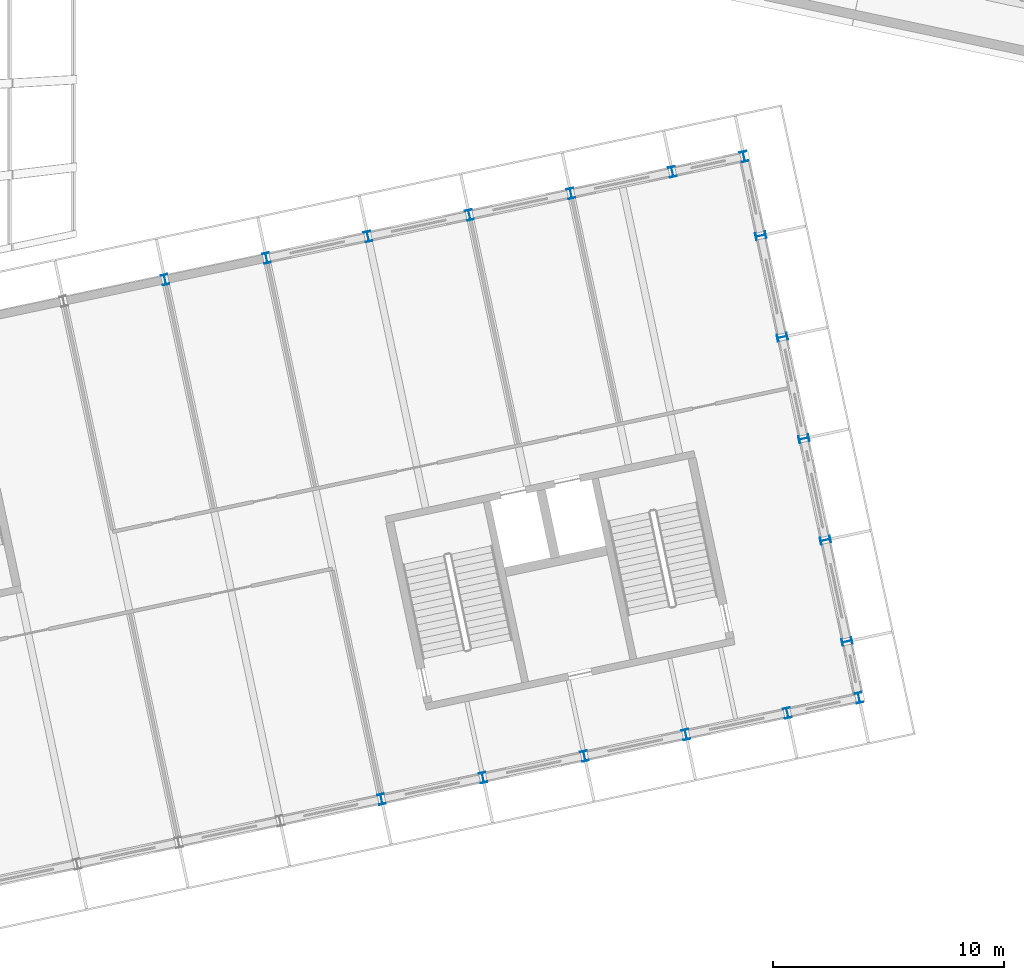
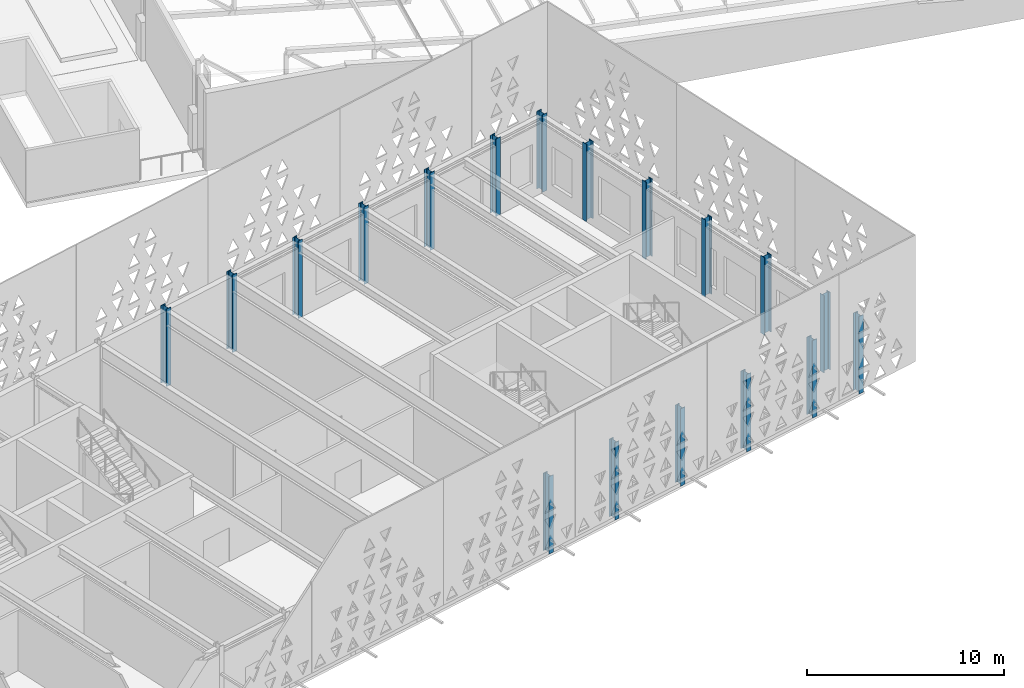
# One storey, part 14 of 196: 18 columns.
"""IFC4 building model written with IfcOpenShell, lengths in metres."""

from ifc_helpers import new_model, si_unit, direction, frame, origin, origin_2d, place, context, subcontext, project, spatial, i_section, extrude, material, material_profile, profile_set, type_object, element, save


model = new_model("IFC4")

# Units and contexts
model_context = context("Model", 3, precision=1e-05, world=origin(), true_north=direction((0.0, 1.0)))
body_context = subcontext(model_context, "Body", "Model", "MODEL_VIEW")
ifc_project = project(units=[si_unit("LENGTHUNIT", "METRE"), si_unit("AREAUNIT", "SQUARE_METRE"), si_unit("VOLUMEUNIT", "CUBIC_METRE"), si_unit("PLANEANGLEUNIT", "RADIAN"), si_unit("MASSUNIT", "GRAM", prefix="KILO")], contexts=[model_context])

# Site, building, storey
site_placement = place(None, origin())
site = spatial("IfcSite", under=ifc_project, at=site_placement, CompositionType="ELEMENT")
building_placement = place(site_placement, origin())
building = spatial("IfcBuilding", under=site, at=building_placement, Name="Okhra Congress Centre", CompositionType="ELEMENT")
storey_placement = place(building_placement, frame((0.0, 0.0, 12.0)))
storey = spatial("IfcBuildingStorey", under=building, at=storey_placement, Name="L02", CompositionType="ELEMENT", Elevation=12.0)

# Columns
ifc_material = material(Name="Steel S355J2", Category="steel")
ifc_material_profile = material_profile(ifc_material, i_section(OverallWidth=0.300048828125, OverallDepth=0.449951171875, WebThickness=0.013916015625, FlangeThickness=0.02587890625, FilletRadius=0.027099609375, at=origin_2d()), Name="HE 450 B")
ifc_profile_set = profile_set([ifc_material_profile], Name="Steel S355J2")
column_type = type_object("IfcColumnType", Name="Steel post HE 450 B", PredefinedType="COLUMN", material=ifc_profile_set)
for number, where, z_axis, x_axis, name in (
    (1, (197.462646484375, 55.81298828125, 0.0), (0.0, 0.0, 1.0), (0.978147600734, 0.207911690818, 0.0), "Post S32"),
    (2, (201.8642578125, 56.74853515625, 0.0), (0.0, 0.0, 1.0), (0.978147600734, 0.207911690818, 0.0), "Post S33"),
    (3, (206.265869140625, 57.68408203125, 0.0), (0.0, 0.0, 1.0), (0.978147600734, 0.207911690818, 0.0), "Post S34"),
    (4, (210.66748046875, 58.61962890625, 0.0), (0.0, 0.0, 1.0), (0.978147600734, 0.207911690818, 0.0), "Post S35"),
    (5, (215.0693359375, 59.555419921875, 0.0), (0.0, 0.0, 1.0), (0.978147600734, 0.207911690818, 0.0), "Post S36"),
    (6, (218.1748046875, 60.21533203125, 0.0), (0.0, 0.0, 1.0), (0.978147600734, 0.207911690818, 0.0), "Post S37"),
    (7, (188.071044921875, 78.352783203125, 0.0), (0.0, 0.0, 1.0), (0.978147600734, 0.207911690818, 0.0), "Post N31"),
    (8, (192.47265625, 79.28857421875, 0.0), (0.0, 0.0, 1.0), (0.978147600734, 0.207911690818, 0.0), "Post N32"),
    (9, (196.874267578125, 80.22412109375, 0.0), (0.0, 0.0, 1.0), (0.978147600734, 0.207911690818, 0.0), "Post N33"),
    (10, (201.276123046875, 81.15966796875, 0.0), (0.0, 0.0, 1.0), (0.978147600734, 0.207911690818, 0.0), "Post N34"),
    (11, (205.677734375, 82.09521484375, 0.0), (0.0, 0.0, 1.0), (0.978147600734, 0.207911690818, 0.0), "Post N35"),
    (12, (210.079345703125, 83.03076171875, 0.0), (0.0, 0.0, 1.0), (0.978147600734, 0.207911690818, 0.0), "Post N36"),
    (13, (213.18505859375, 83.69091796875, 0.0), (0.0, 0.0, 1.0), (0.978147600734, 0.207911690818, 0.0), "Post N37"),
    (14, (217.656005859375, 62.656005859375, 0.0), (0.0, 0.0, 1.0), (-0.207911690818, 0.978147600734, 0.0), "Post E1"),
    (15, (216.720458984375, 67.0576171875, 0.0), (0.0, 0.0, 1.0), (-0.207911690818, 0.978147600734, 0.0), "Post E2"),
    (16, (215.784912109375, 71.459228515625, 0.0), (0.0, 0.0, 1.0), (-0.207911690818, 0.978147600734, 0.0), "Post E3"),
    (17, (214.849365234375, 75.86083984375, 0.0), (0.0, 0.0, 1.0), (-0.207911690818, 0.978147600734, 0.0), "Post E4"),
    (18, (213.913818359375, 80.2626953125, 0.0), (0.0, 0.0, 1.0), (-0.207911690818, 0.978147600734, 0.0), "Post E5"),
):
    element("IfcColumn", number, at=place(storey_placement, frame(where, z_axis=z_axis, x_axis=x_axis)), inside=storey, type_object=column_type, Name=name, PredefinedType="COLUMN", context=body_context, shape_type="SweptSolid", body=[
        extrude(i_section(OverallWidth=0.300048828125, OverallDepth=0.449951171875, WebThickness=0.013916015625, FlangeThickness=0.02587890625, FilletRadius=0.027099609375, at=origin_2d()), origin(), (0.0, 0.0, 1.0), 4.800048828125),
    ])

save(model, "model.ifc")
